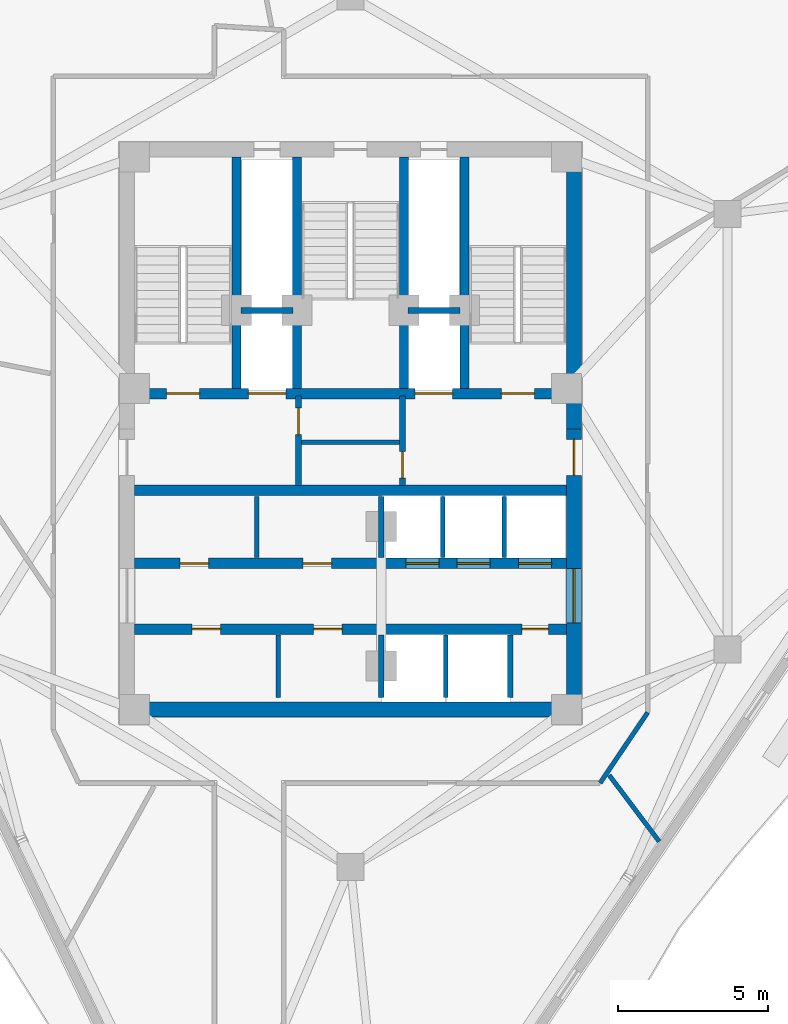
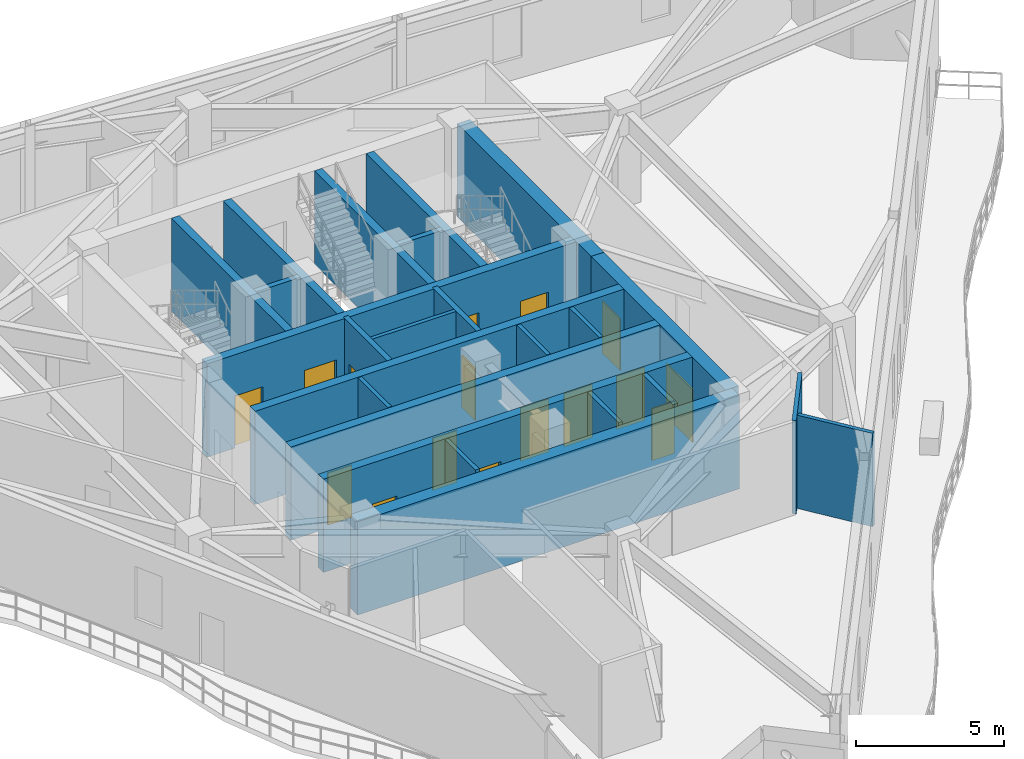
# One storey, part 6 of 11: 26 walls, 16 doors, 16 openings.
"""IFC4 building model written with IfcOpenShell, lengths in metres."""

from ifc_helpers import new_model, si_unit, direction, frame, frame_2d, origin, place, context, subcontext, project, spatial, rectangle, extrude, material, layer, layer_set, type_object, element, fill, save


model = new_model("IFC4")

# Units and contexts
model_context = context("Model", 3, precision=1e-05, world=origin(), true_north=direction((0.0, 1.0)))
body_context = subcontext(model_context, "Body", "Model", "MODEL_VIEW")
ifc_project = project(units=[si_unit("LENGTHUNIT", "METRE"), si_unit("AREAUNIT", "SQUARE_METRE"), si_unit("VOLUMEUNIT", "CUBIC_METRE"), si_unit("PLANEANGLEUNIT", "RADIAN"), si_unit("MASSUNIT", "GRAM", prefix="KILO")], contexts=[model_context])

# Site, building, storey
site_placement = place(None, origin())
site = spatial("IfcSite", under=ifc_project, at=site_placement, CompositionType="ELEMENT")
building_placement = place(site_placement, origin())
building = spatial("IfcBuilding", under=site, at=building_placement, Name="Apsidion Concourse Tower", CompositionType="ELEMENT")
storey_placement = place(building_placement, frame((0.0, 0.0, 294.199951171875)))
storey = spatial("IfcBuildingStorey", under=building, at=storey_placement, Name="L69", CompositionType="ELEMENT", Elevation=294.199951171875)

# Walls
ifc_material_1 = material(Name="Gypsum plasterboard partition")
ifc_layer_1 = layer(ifc_material_1, 0.14990234375)
ifc_layer_set_1 = layer_set([ifc_layer_1], Name="Gypsum plasterboard partition")
wall_type_1 = type_object("IfcWallType", Name="WL-INT-PAR-150", PredefinedType="PARTITIONING", material=ifc_layer_set_1)
for number, where, z_axis, x_axis, name in (
    (1, (-3.1201171875, -4.179931640625, 0.0), (0.0, 0.0, 1.0), (0.0, 1.0, 0.0), "L69 Interior Partition WL-L69-B1RV1"),
    (2, (3.074951171875, -4.179931640625, 0.0), (0.0, 0.0, 1.0), (0.0, 1.0, 0.0), "L69 Interior Partition WL-L69-B3DIV-1"),
    (3, (5.125, -4.179931640625, 0.0), (0.0, 0.0, 1.0), (0.0, 1.0, 0.0), "L69 Interior Partition WL-L69-B3DIV-2"),
):
    element("IfcWall", number, at=place(storey_placement, frame(where, z_axis=z_axis, x_axis=x_axis)), inside=storey, type_object=wall_type_1, Name=name, PredefinedType="PARTITIONING", context=body_context, shape_type="SweptSolid", body=[
        extrude(rectangle(XDim=2.030029296875, YDim=0.14990234375, at=frame_2d((1.01513671875, 0.0))), origin(), (0.0, 0.0, 1.0), 3.85009765625),
    ])
for number, where, z_axis, x_axis, name in (
    (4, (-2.39990234375, -8.85009765625, 0.0), (0.0, 0.0, 1.0), (0.0, 1.0, 0.0), "L69 Interior Partition WL-L69-B2RV1"),
    (5, (3.175048828125, -8.85009765625, 0.0), (0.0, 0.0, 1.0), (0.0, 1.0, 0.0), "L69 Interior Partition WL-L69-SHDIV-1"),
):
    element("IfcWall", number, at=place(storey_placement, frame(where, z_axis=z_axis, x_axis=x_axis)), inside=storey, type_object=wall_type_1, Name=name, PredefinedType="PARTITIONING", context=body_context, shape_type="SweptSolid", body=[
        extrude(rectangle(XDim=2.080078125, YDim=0.14990234375, at=frame_2d((1.0400390625, 0.0))), origin(), (0.0, 0.0, 1.0), 3.85009765625),
    ])
wall_1_placement = place(storey_placement, frame((-1.6298828125, -0.35009765625, 0.0), z_axis=(0.0, 0.0, 1.0), x_axis=(1.0, 0.0, 0.0)))
element("IfcWall", 6, at=wall_1_placement, inside=storey, type_object=wall_type_1, Name="L69 Interior Partition WL-L69-K2H", PredefinedType="PARTITIONING", context=body_context, shape_type="SweptSolid", body=[
    extrude(rectangle(XDim=3.259765625, YDim=0.14990234375, at=frame_2d((1.6298828125, 0.0))), origin(), (0.0, 0.0, 1.0), 3.85009765625),
])
wall_2_placement = place(storey_placement, frame((9.89990234375, -9.348388671875, 0.0), z_axis=(0.0, 0.0, 1.0), x_axis=(-0.559200828408, -0.829032227062, 0.0)))
element("IfcWall", 7, at=wall_2_placement, inside=storey, type_object=wall_type_1, Name="L69 Interior Partition WL-L69-CORR-10", PredefinedType="PARTITIONING", context=body_context, shape_type="SweptSolid", body=[
    extrude(rectangle(XDim=2.83642578125, YDim=0.14990234375, at=frame_2d((1.418212890625, 0.0))), origin(), (0.0, 0.0, 1.0), 3.85009765625),
])
wall_3_placement = place(storey_placement, frame((8.6181640625, -11.4365234375, 0.0), z_axis=(0.0, 0.0, 1.0), x_axis=(0.601749877765, -0.798684596452, 0.0)))
element("IfcWall", 8, at=wall_3_placement, inside=storey, type_object=wall_type_1, Name="L69 Interior Partition WL-L69-RAD-05-1", PredefinedType="PARTITIONING", context=body_context, shape_type="SweptSolid", body=[
    extrude(rectangle(XDim=2.765869140625, YDim=0.14990234375, at=frame_2d((1.3828125, 0.0))), origin(), (0.0, 0.0, 1.0), 3.85009765625),
])
ifc_layer_2 = layer(ifc_material_1, 0.179931640625)
ifc_layer_set_2 = layer_set([ifc_layer_2], Name="Gypsum plasterboard partition")
wall_type_2 = type_object("IfcWallType", Name="WL-INT-PAR-180", PredefinedType="PARTITIONING", material=ifc_layer_set_2)
wall_4_placement = place(storey_placement, frame((1.02490234375, -4.179931640625, 0.0), z_axis=(0.0, 0.0, 1.0), x_axis=(0.0, 1.0, 0.0)))
element("IfcWall", 9, at=wall_4_placement, inside=storey, type_object=wall_type_2, Name="L69 Interior Partition WL-L69-B1END", PredefinedType="PARTITIONING", context=body_context, shape_type="SweptSolid", body=[
    extrude(rectangle(XDim=2.030029296875, YDim=0.179931640625, at=frame_2d((1.01513671875, 0.0))), origin(), (0.0, 0.0, 1.0), 2.89794921875),
])
wall_5_placement = place(storey_placement, frame((1.02490234375, -8.85009765625, 0.0), z_axis=(0.0, 0.0, 1.0), x_axis=(0.0, 1.0, 0.0)))
element("IfcWall", 10, at=wall_5_placement, inside=storey, type_object=wall_type_2, Name="L69 Interior Partition WL-L69-B2END", PredefinedType="PARTITIONING", context=body_context, shape_type="SweptSolid", body=[
    extrude(rectangle(XDim=2.080078125, YDim=0.179931640625, at=frame_2d((1.0400390625, 0.0))), origin(), (0.0, 0.0, 1.0), 2.89794921875),
])
wall_6_placement = place(storey_placement, frame((5.324951171875, -8.85009765625, 0.0), z_axis=(0.0, 0.0, 1.0), x_axis=(0.0, 1.0, 0.0)))
element("IfcWall", 11, at=wall_6_placement, inside=storey, type_object=wall_type_2, Name="L69 Interior Partition WL-L69-SHDIV-2", PredefinedType="PARTITIONING", context=body_context, shape_type="SweptSolid", body=[
    extrude(rectangle(XDim=2.080078125, YDim=0.179931640625, at=frame_2d((1.0400390625, 0.0))), origin(), (0.0, 0.0, 1.0), 3.85009765625),
])
ifc_layer_3 = layer(ifc_material_1, 0.199951171875)
ifc_layer_set_3 = layer_set([ifc_layer_3], Name="Gypsum plasterboard partition")
wall_type_3 = type_object("IfcWallType", Name="WL-INT-PAR-200", PredefinedType="PARTITIONING", material=ifc_layer_set_3)
for number, where, z_axis, x_axis, name in (
    (12, (-3.64990234375, 4.050048828125, 0.0), (0.0, 0.0, 1.0), (1.0, 0.0, 0.0), "L69 Interior Partition WL-L69-FF1-N"),
    (13, (1.919921875, 4.050048828125, 0.0), (0.0, 0.0, 1.0), (1.0, 0.0, 0.0), "L69 Interior Partition WL-L69-FF2-N"),
):
    element("IfcWall", number, at=place(storey_placement, frame(where, z_axis=z_axis, x_axis=x_axis)), inside=storey, type_object=wall_type_3, Name=name, PredefinedType="PARTITIONING", context=body_context, shape_type="SweptSolid", body=[
        extrude(rectangle(XDim=1.72998046875, YDim=0.199951171875, at=frame_2d((0.864990234375, 0.0))), origin(), (0.0, 0.0, 1.0), 3.85009765625),
    ])

# Wall, opening, door
wall_7_placement = place(storey_placement, frame((-1.739990234375, -1.780029296875, 0.0), z_axis=(0.0, 0.0, 1.0), x_axis=(0.0, 1.0, 0.0)))
wall_7 = element("IfcWall", 14, at=wall_7_placement, inside=storey, type_object=wall_type_3, Name="L69 Interior Partition WL-L69-FF1-E", PredefinedType="PARTITIONING", context=body_context, shape_type="SweptSolid", body=[
    extrude(rectangle(XDim=2.97998046875, YDim=0.199951171875, at=frame_2d((1.489990234375, 0.0))), origin(), (0.0, 0.0, 1.0), 3.85009765625),
])
opening_1_placement = place(wall_7_placement, frame((1.68994140625, 0.0, 0.0)))
opening_1 = element("IfcOpeningElement", 15, at=opening_1_placement, cuts=wall_7, Name="Opening D-05L", PredefinedType="OPENING", context=body_context, shape_type="SweptSolid", body=[
    extrude(rectangle(XDim=0.8798828125, YDim=2.14990234375, at=frame_2d((0.43994140625, 1.074951171875))), frame((0.0, 0.10986328125, 0.0), z_axis=(0.0, -1.0, 0.0), x_axis=(1.0, 0.0, 0.0)), (0.0, 0.0, 1.0), 0.219970703125),
])
ifc_material_2 = material(Name="Brushed stainless steel 316", Category="steel")
door_type_1 = type_object("IfcDoorType", Name="DR-INT-D05L", OperationType="SINGLE_SWING_LEFT", PredefinedType="DOOR", material=ifc_material_2)
door_1_placement = place(opening_1_placement, origin())
door_1 = element("IfcDoor", 16, at=door_1_placement, inside=storey, type_object=door_type_1, Name="L69 Core Staff WC Door", OperationType="SINGLE_SWING_LEFT", OverallHeight=2.14990234375, OverallWidth=0.8798828125, PredefinedType="DOOR", context=body_context, shape_type="SweptSolid", body=[
    extrude(rectangle(XDim=0.8798828125, YDim=2.14990234375, at=frame_2d((0.43994140625, 1.074951171875))), frame((0.0, 0.02490234375, 0.0), z_axis=(0.0, -1.0, 0.0), x_axis=(1.0, 0.0, 0.0)), (0.0, 0.0, 1.0), 0.050048828125),
])
fill(opening_1, door_1)

wall_8_placement = place(storey_placement, frame((1.739990234375, -1.780029296875, 0.0), z_axis=(0.0, 0.0, 1.0), x_axis=(0.0, 1.0, 0.0)))
wall_8 = element("IfcWall", 17, at=wall_8_placement, inside=storey, type_object=wall_type_3, Name="L69 Interior Partition WL-L69-FF2-W", PredefinedType="PARTITIONING", context=body_context, shape_type="SweptSolid", body=[
    extrude(rectangle(XDim=2.97998046875, YDim=0.199951171875, at=frame_2d((1.489990234375, 0.0))), origin(), (0.0, 0.0, 1.0), 3.85009765625),
])
opening_2_placement = place(wall_8_placement, frame((0.239990234375, 0.0, 0.0)))
opening_2 = element("IfcOpeningElement", 18, at=opening_2_placement, cuts=wall_8, Name="Opening D-05R", PredefinedType="OPENING", context=body_context, shape_type="SweptSolid", body=[
    extrude(rectangle(XDim=0.8798828125, YDim=2.14990234375, at=frame_2d((0.43994140625, 1.074951171875))), frame((0.0, 0.10986328125, 0.0), z_axis=(0.0, -1.0, 0.0), x_axis=(1.0, 0.0, 0.0)), (0.0, 0.0, 1.0), 0.219970703125),
])
door_type_2 = type_object("IfcDoorType", Name="DR-INT-D05R", OperationType="SINGLE_SWING_RIGHT", PredefinedType="DOOR", material=ifc_material_2)
door_2_placement = place(opening_2_placement, origin())
door_2 = element("IfcDoor", 19, at=door_2_placement, inside=storey, type_object=door_type_2, Name="L69 Core Supply Store Door", OperationType="SINGLE_SWING_RIGHT", OverallHeight=2.14990234375, OverallWidth=0.8798828125, PredefinedType="DOOR", context=body_context, shape_type="SweptSolid", body=[
    extrude(rectangle(XDim=0.8798828125, YDim=2.14990234375, at=frame_2d((0.43994140625, 1.074951171875))), frame((0.0, 0.02490234375, 0.0), z_axis=(0.0, -1.0, 0.0), x_axis=(1.0, 0.0, 0.0)), (0.0, 0.0, 1.0), 0.050048828125),
])
fill(opening_2, door_2)

# Walls
ifc_material_3 = material(Name="Concrete C50/60", Category="concrete")
ifc_layer_4 = layer(ifc_material_3, 0.300048828125)
ifc_layer_set_4 = layer_set([ifc_layer_4], Name="Concrete C50/60")
wall_type_4 = type_object("IfcWallType", Name="WL-SH-300", PredefinedType="SHEAR", material=ifc_layer_set_4)
for number, where, z_axis, x_axis, name in (
    (20, (-3.800048828125, 1.449951171875, 0.0), (0.0, 0.0, 1.0), (0.0, 1.0, 0.0), "L69 Central Core Shear Wall V1"),
    (21, (-1.77490234375, 1.449951171875, 0.0), (0.0, 0.0, 1.0), (0.0, 1.0, 0.0), "L69 Central Core Shear Wall V2"),
    (22, (1.77490234375, 1.449951171875, 0.0), (0.0, 0.0, 1.0), (0.0, 1.0, 0.0), "L69 Central Core Shear Wall V3"),
    (23, (3.800048828125, 1.449951171875, 0.0), (0.0, 0.0, 1.0), (0.0, 1.0, 0.0), "L69 Central Core Shear Wall V4"),
):
    element("IfcWall", number, at=place(storey_placement, frame(where, z_axis=z_axis, x_axis=x_axis)), inside=storey, type_object=wall_type_4, Name=name, PredefinedType="SHEAR", context=body_context, shape_type="SweptSolid", body=[
        extrude(rectangle(XDim=7.699951171875, YDim=0.300048828125, at=frame_2d((3.85009765625, 0.0))), origin(), (0.0, 0.0, 1.0), 3.85009765625),
    ])

# Wall, openings, doors
ifc_layer_5 = layer(ifc_material_3, 0.35009765625)
ifc_layer_set_5 = layer_set([ifc_layer_5], Name="Concrete C50/60")
wall_type_5 = type_object("IfcWallType", Name="WL-SH-350", PredefinedType="SHEAR", material=ifc_layer_set_5)
wall_9_placement = place(storey_placement, frame((-7.199951171875, 1.27490234375, 0.0), z_axis=(0.0, 0.0, 1.0), x_axis=(1.0, 0.0, 0.0)))
wall_9 = element("IfcWall", 24, at=wall_9_placement, inside=storey, type_object=wall_type_5, Name="L69 Central Core Shear Wall M1", PredefinedType="SHEAR", context=body_context, shape_type="SweptSolid", body=[
    extrude(rectangle(XDim=14.39990234375, YDim=0.35009765625, at=frame_2d((7.199951171875, 0.0))), origin(), (0.0, 0.0, 1.0), 3.85009765625),
])
opening_3_placement = place(wall_9_placement, frame((3.794921875, 0.0, 0.0)))
opening_3 = element("IfcOpeningElement", 25, at=opening_3_placement, cuts=wall_9, Name="Opening LD-FF", PredefinedType="OPENING", context=body_context, shape_type="SweptSolid", body=[
    extrude(rectangle(XDim=1.25, YDim=2.25, at=frame_2d((0.625, 1.125))), frame((0.0, 0.18505859375, 0.0), z_axis=(0.0, -1.0, 0.0), x_axis=(1.0, 0.0, 0.0)), (0.0, 0.0, 1.0), 0.3701171875),
])
opening_4_placement = place(wall_9_placement, frame((9.35498046875, 0.0, 0.0)))
opening_4 = element("IfcOpeningElement", 26, at=opening_4_placement, cuts=wall_9, Name="Opening LD-FF", PredefinedType="OPENING", context=body_context, shape_type="SweptSolid", body=[
    extrude(rectangle(XDim=1.25, YDim=2.25, at=frame_2d((0.625, 1.125))), frame((0.0, 0.18505859375, 0.0), z_axis=(0.0, -1.0, 0.0), x_axis=(1.0, 0.0, 0.0)), (0.0, 0.0, 1.0), 0.3701171875),
])
opening_5_placement = place(wall_9_placement, frame((1.074951171875, 0.0, 0.0)))
opening_5 = element("IfcOpeningElement", 27, at=opening_5_placement, cuts=wall_9, Name="Opening D-STL", PredefinedType="OPENING", context=body_context, shape_type="SweptSolid", body=[
    extrude(rectangle(XDim=1.10009765625, YDim=2.14990234375, at=frame_2d((0.550048828125, 1.074951171875))), frame((0.0, 0.18505859375, 0.0), z_axis=(0.0, -1.0, 0.0), x_axis=(1.0, 0.0, 0.0)), (0.0, 0.0, 1.0), 0.3701171875),
])
opening_6_placement = place(wall_9_placement, frame((12.22509765625, 0.0, 0.0)))
opening_6 = element("IfcOpeningElement", 28, at=opening_6_placement, cuts=wall_9, Name="Opening D-STR", PredefinedType="OPENING", context=body_context, shape_type="SweptSolid", body=[
    extrude(rectangle(XDim=1.10009765625, YDim=2.14990234375, at=frame_2d((0.550048828125, 1.074951171875))), frame((0.0, 0.18505859375, 0.0), z_axis=(0.0, -1.0, 0.0), x_axis=(1.0, 0.0, 0.0)), (0.0, 0.0, 1.0), 0.3701171875),
])
door_type_3 = type_object("IfcDoorType", Name="DR-INT-ST1L", OperationType="SINGLE_SWING_LEFT", PredefinedType="DOOR", material=ifc_material_2)
door_3_placement = place(opening_5_placement, origin())
door_3 = element("IfcDoor", 29, at=door_3_placement, inside=storey, type_object=door_type_3, Name="L69 Core Exit Stair ST1 Door", OperationType="SINGLE_SWING_LEFT", OverallHeight=2.14990234375, OverallWidth=1.10009765625, PredefinedType="DOOR", context=body_context, shape_type="SweptSolid", body=[
    extrude(rectangle(XDim=1.10009765625, YDim=2.14990234375, at=frame_2d((0.550048828125, 1.074951171875))), frame((0.0, 0.02490234375, 0.0), z_axis=(0.0, -1.0, 0.0), x_axis=(1.0, 0.0, 0.0)), (0.0, 0.0, 1.0), 0.050048828125),
])
fill(opening_5, door_3)
door_type_4 = type_object("IfcDoorType", Name="DR-INT-ST1R", OperationType="SINGLE_SWING_RIGHT", PredefinedType="DOOR", material=ifc_material_2)
door_4_placement = place(opening_6_placement, origin())
door_4 = element("IfcDoor", 30, at=door_4_placement, inside=storey, type_object=door_type_4, Name="L69 Core Exit Stair ST2 Door", OperationType="SINGLE_SWING_RIGHT", OverallHeight=2.14990234375, OverallWidth=1.10009765625, PredefinedType="DOOR", context=body_context, shape_type="SweptSolid", body=[
    extrude(rectangle(XDim=1.10009765625, YDim=2.14990234375, at=frame_2d((0.550048828125, 1.074951171875))), frame((0.0, 0.02490234375, 0.0), z_axis=(0.0, -1.0, 0.0), x_axis=(1.0, 0.0, 0.0)), (0.0, 0.0, 1.0), 0.050048828125),
])
fill(opening_6, door_4)
door_type_5 = type_object("IfcDoorType", Name="DR-LD-FSAE", OperationType="DOUBLE_DOOR_SLIDING", PredefinedType="DOOR", material=ifc_material_2)
door_5_placement = place(opening_3_placement, origin())
door_5 = element("IfcDoor", 31, at=door_5_placement, inside=storey, type_object=door_type_5, Name="L69 Lift Landing Door FF1", OperationType="DOUBLE_DOOR_SLIDING", OverallHeight=2.25, OverallWidth=1.25, PredefinedType="DOOR", context=body_context, shape_type="SweptSolid", body=[
    extrude(rectangle(XDim=1.25, YDim=2.25, at=frame_2d((0.625, 1.125))), frame((0.0, 0.02490234375, 0.0), z_axis=(0.0, -1.0, 0.0), x_axis=(1.0, 0.0, 0.0)), (0.0, 0.0, 1.0), 0.050048828125),
])
fill(opening_3, door_5)
door_6_placement = place(opening_4_placement, origin())
door_6 = element("IfcDoor", 32, at=door_6_placement, inside=storey, type_object=door_type_5, Name="L69 Lift Landing Door FF2", OperationType="DOUBLE_DOOR_SLIDING", OverallHeight=2.25, OverallWidth=1.25, PredefinedType="DOOR", context=body_context, shape_type="SweptSolid", body=[
    extrude(rectangle(XDim=1.25, YDim=2.25, at=frame_2d((0.625, 1.125))), frame((0.0, 0.02490234375, 0.0), z_axis=(0.0, -1.0, 0.0), x_axis=(1.0, 0.0, 0.0)), (0.0, 0.0, 1.0), 0.050048828125),
])
fill(opening_4, door_6)

# Wall
wall_10_placement = place(storey_placement, frame((-7.199951171875, -1.949951171875, 0.0), z_axis=(0.0, 0.0, 1.0), x_axis=(1.0, 0.0, 0.0)))
element("IfcWall", 33, at=wall_10_placement, inside=storey, type_object=wall_type_5, Name="L69 Central Core Shear Wall M2", PredefinedType="SHEAR", context=body_context, shape_type="SweptSolid", body=[
    extrude(rectangle(XDim=14.39990234375, YDim=0.35009765625, at=frame_2d((7.199951171875, 0.0))), origin(), (0.0, 0.0, 1.0), 3.85009765625),
])

# Wall, openings, doors
wall_11_placement = place(storey_placement, frame((-7.199951171875, -4.3798828125, 0.0), z_axis=(0.0, 0.0, 1.0), x_axis=(1.0, 0.0, 0.0)))
wall_11 = element("IfcWall", 34, at=wall_11_placement, inside=storey, type_object=wall_type_5, Name="L69 Central Core Shear Wall LA", PredefinedType="SHEAR", context=body_context, shape_type="SweptSolid", body=[
    extrude(rectangle(XDim=14.39990234375, YDim=0.35009765625, at=frame_2d((7.199951171875, 0.0))), origin(), (0.0, 0.0, 1.0), 3.85009765625),
])
opening_7_placement = place(wall_11_placement, frame((9.050048828125, 0.0, 0.0)))
opening_7 = element("IfcOpeningElement", 35, at=opening_7_placement, cuts=wall_11, Name="Opening LD-P1", PredefinedType="OPENING", context=body_context, shape_type="SweptSolid", body=[
    extrude(rectangle(XDim=1.10009765625, YDim=2.199951171875, at=frame_2d((0.550048828125, 1.10009765625))), frame((0.0, 0.18505859375, 0.0), z_axis=(0.0, -1.0, 0.0), x_axis=(1.0, 0.0, 0.0)), (0.0, 0.0, 1.0), 0.3701171875),
])
opening_8_placement = place(wall_11_placement, frame((10.75, 0.0, 0.0)))
opening_8 = element("IfcOpeningElement", 36, at=opening_8_placement, cuts=wall_11, Name="Opening LD-P1", PredefinedType="OPENING", context=body_context, shape_type="SweptSolid", body=[
    extrude(rectangle(XDim=1.10009765625, YDim=2.199951171875, at=frame_2d((0.550048828125, 1.10009765625))), frame((0.0, 0.18505859375, 0.0), z_axis=(0.0, -1.0, 0.0), x_axis=(1.0, 0.0, 0.0)), (0.0, 0.0, 1.0), 0.3701171875),
])
opening_9_placement = place(wall_11_placement, frame((12.800048828125, 0.0, 0.0)))
opening_9 = element("IfcOpeningElement", 37, at=opening_9_placement, cuts=wall_11, Name="Opening LD-P1", PredefinedType="OPENING", context=body_context, shape_type="SweptSolid", body=[
    extrude(rectangle(XDim=1.10009765625, YDim=2.199951171875, at=frame_2d((0.550048828125, 1.10009765625))), frame((0.0, 0.18505859375, 0.0), z_axis=(0.0, -1.0, 0.0), x_axis=(1.0, 0.0, 0.0)), (0.0, 0.0, 1.0), 0.3701171875),
])
opening_10_placement = place(wall_11_placement, frame((1.52490234375, 0.0, 0.0)))
opening_10 = element("IfcOpeningElement", 38, at=opening_10_placement, cuts=wall_11, Name="Opening D-04L", PredefinedType="OPENING", context=body_context, shape_type="SweptSolid", body=[
    extrude(rectangle(XDim=0.949951171875, YDim=2.14990234375, at=frame_2d((0.47509765625, 1.074951171875))), frame((0.0, 0.18505859375, 0.0), z_axis=(0.0, -1.0, 0.0), x_axis=(1.0, 0.0, 0.0)), (0.0, 0.0, 1.0), 0.3701171875),
])
opening_11_placement = place(wall_11_placement, frame((5.625, 0.0, 0.0)))
opening_11 = element("IfcOpeningElement", 39, at=opening_11_placement, cuts=wall_11, Name="Opening D-04R", PredefinedType="OPENING", context=body_context, shape_type="SweptSolid", body=[
    extrude(rectangle(XDim=0.949951171875, YDim=2.14990234375, at=frame_2d((0.47509765625, 1.074951171875))), frame((0.0, 0.18505859375, 0.0), z_axis=(0.0, -1.0, 0.0), x_axis=(1.0, 0.0, 0.0)), (0.0, 0.0, 1.0), 0.3701171875),
])
door_type_6 = type_object("IfcDoorType", Name="DR-INT-D04L", OperationType="SINGLE_SWING_LEFT", PredefinedType="DOOR", material=ifc_material_2)
door_7_placement = place(opening_10_placement, origin())
door_7 = element("IfcDoor", 40, at=door_7_placement, inside=storey, type_object=door_type_6, Name="L69 Tenant Archive Room West Door", OperationType="SINGLE_SWING_LEFT", OverallHeight=2.14990234375, OverallWidth=0.949951171875, PredefinedType="DOOR", context=body_context, shape_type="SweptSolid", body=[
    extrude(rectangle(XDim=0.949951171875, YDim=2.14990234375, at=frame_2d((0.47509765625, 1.074951171875))), frame((0.0, 0.02490234375, 0.0), z_axis=(0.0, -1.0, 0.0), x_axis=(1.0, 0.0, 0.0)), (0.0, 0.0, 1.0), 0.050048828125),
])
fill(opening_10, door_7)
door_type_7 = type_object("IfcDoorType", Name="DR-INT-D04R", OperationType="SINGLE_SWING_RIGHT", PredefinedType="DOOR", material=ifc_material_2)
door_8_placement = place(opening_11_placement, origin())
door_8 = element("IfcDoor", 41, at=door_8_placement, inside=storey, type_object=door_type_7, Name="L69 Core Print and Copy Room Door", OperationType="SINGLE_SWING_RIGHT", OverallHeight=2.14990234375, OverallWidth=0.949951171875, PredefinedType="DOOR", context=body_context, shape_type="SweptSolid", body=[
    extrude(rectangle(XDim=0.949951171875, YDim=2.14990234375, at=frame_2d((0.47509765625, 1.074951171875))), frame((0.0, 0.02490234375, 0.0), z_axis=(0.0, -1.0, 0.0), x_axis=(1.0, 0.0, 0.0)), (0.0, 0.0, 1.0), 0.050048828125),
])
fill(opening_11, door_8)
door_type_8 = type_object("IfcDoorType", Name="DR-LD-PASS", OperationType="DOUBLE_DOOR_SLIDING", PredefinedType="DOOR", material=ifc_material_2)
door_9_placement = place(opening_7_placement, origin())
door_9 = element("IfcDoor", 42, at=door_9_placement, inside=storey, type_object=door_type_8, Name="L69 Lift Landing Door P9", OperationType="DOUBLE_DOOR_SLIDING", OverallHeight=2.199951171875, OverallWidth=1.10009765625, PredefinedType="DOOR", context=body_context, shape_type="SweptSolid", body=[
    extrude(rectangle(XDim=1.10009765625, YDim=2.199951171875, at=frame_2d((0.550048828125, 1.10009765625))), frame((0.0, 0.02490234375, 0.0), z_axis=(0.0, -1.0, 0.0), x_axis=(1.0, 0.0, 0.0)), (0.0, 0.0, 1.0), 0.050048828125),
])
fill(opening_7, door_9)
door_10_placement = place(opening_8_placement, origin())
door_10 = element("IfcDoor", 43, at=door_10_placement, inside=storey, type_object=door_type_8, Name="L69 Lift Landing Door P10", OperationType="DOUBLE_DOOR_SLIDING", OverallHeight=2.199951171875, OverallWidth=1.10009765625, PredefinedType="DOOR", context=body_context, shape_type="SweptSolid", body=[
    extrude(rectangle(XDim=1.10009765625, YDim=2.199951171875, at=frame_2d((0.550048828125, 1.10009765625))), frame((0.0, 0.02490234375, 0.0), z_axis=(0.0, -1.0, 0.0), x_axis=(1.0, 0.0, 0.0)), (0.0, 0.0, 1.0), 0.050048828125),
])
fill(opening_8, door_10)
door_11_placement = place(opening_9_placement, origin())
door_11 = element("IfcDoor", 44, at=door_11_placement, inside=storey, type_object=door_type_8, Name="L69 Lift Landing Door P11", OperationType="DOUBLE_DOOR_SLIDING", OverallHeight=2.199951171875, OverallWidth=1.10009765625, PredefinedType="DOOR", context=body_context, shape_type="SweptSolid", body=[
    extrude(rectangle(XDim=1.10009765625, YDim=2.199951171875, at=frame_2d((0.550048828125, 1.10009765625))), frame((0.0, 0.02490234375, 0.0), z_axis=(0.0, -1.0, 0.0), x_axis=(1.0, 0.0, 0.0)), (0.0, 0.0, 1.0), 0.050048828125),
])
fill(opening_9, door_11)

wall_12_placement = place(storey_placement, frame((-7.199951171875, -6.570068359375, 0.0), z_axis=(0.0, 0.0, 1.0), x_axis=(1.0, 0.0, 0.0)))
wall_12 = element("IfcWall", 45, at=wall_12_placement, inside=storey, type_object=wall_type_5, Name="L69 Central Core Shear Wall LB", PredefinedType="SHEAR", context=body_context, shape_type="SweptSolid", body=[
    extrude(rectangle(XDim=14.39990234375, YDim=0.35009765625, at=frame_2d((7.199951171875, 0.0))), origin(), (0.0, 0.0, 1.0), 3.85009765625),
])
opening_12_placement = place(wall_12_placement, frame((1.925048828125, 0.0, 0.0)))
opening_12 = element("IfcOpeningElement", 46, at=opening_12_placement, cuts=wall_12, Name="Opening D-04R", PredefinedType="OPENING", context=body_context, shape_type="SweptSolid", body=[
    extrude(rectangle(XDim=0.949951171875, YDim=2.14990234375, at=frame_2d((0.47509765625, 1.074951171875))), frame((0.0, 0.18505859375, 0.0), z_axis=(0.0, -1.0, 0.0), x_axis=(1.0, 0.0, 0.0)), (0.0, 0.0, 1.0), 0.3701171875),
])
opening_13_placement = place(wall_12_placement, frame((5.97509765625, 0.0, 0.0)))
opening_13 = element("IfcOpeningElement", 47, at=opening_13_placement, cuts=wall_12, Name="Opening D-04L", PredefinedType="OPENING", context=body_context, shape_type="SweptSolid", body=[
    extrude(rectangle(XDim=0.949951171875, YDim=2.14990234375, at=frame_2d((0.47509765625, 1.074951171875))), frame((0.0, 0.18505859375, 0.0), z_axis=(0.0, -1.0, 0.0), x_axis=(1.0, 0.0, 0.0)), (0.0, 0.0, 1.0), 0.3701171875),
])
opening_14_placement = place(wall_12_placement, frame((12.909912109375, 0.0, 0.0)))
opening_14 = element("IfcOpeningElement", 48, at=opening_14_placement, cuts=wall_12, Name="Opening D-05L", PredefinedType="OPENING", context=body_context, shape_type="SweptSolid", body=[
    extrude(rectangle(XDim=0.8798828125, YDim=2.14990234375, at=frame_2d((0.43994140625, 1.074951171875))), frame((0.0, 0.18505859375, 0.0), z_axis=(0.0, -1.0, 0.0), x_axis=(1.0, 0.0, 0.0)), (0.0, 0.0, 1.0), 0.3701171875),
])
door_12_placement = place(opening_13_placement, origin())
door_12 = element("IfcDoor", 49, at=door_12_placement, inside=storey, type_object=door_type_6, Name="L69 Executive IT Server Room Door", OperationType="SINGLE_SWING_LEFT", OverallHeight=2.14990234375, OverallWidth=0.949951171875, PredefinedType="DOOR", context=body_context, shape_type="SweptSolid", body=[
    extrude(rectangle(XDim=0.949951171875, YDim=2.14990234375, at=frame_2d((0.47509765625, 1.074951171875))), frame((0.0, 0.02490234375, 0.0), z_axis=(0.0, -1.0, 0.0), x_axis=(1.0, 0.0, 0.0)), (0.0, 0.0, 1.0), 0.050048828125),
])
fill(opening_13, door_12)
door_13_placement = place(opening_12_placement, origin())
door_13 = element("IfcDoor", 50, at=door_13_placement, inside=storey, type_object=door_type_7, Name="L69 Executive Catering Pantry Door", OperationType="SINGLE_SWING_RIGHT", OverallHeight=2.14990234375, OverallWidth=0.949951171875, PredefinedType="DOOR", context=body_context, shape_type="SweptSolid", body=[
    extrude(rectangle(XDim=0.949951171875, YDim=2.14990234375, at=frame_2d((0.47509765625, 1.074951171875))), frame((0.0, 0.02490234375, 0.0), z_axis=(0.0, -1.0, 0.0), x_axis=(1.0, 0.0, 0.0)), (0.0, 0.0, 1.0), 0.050048828125),
])
fill(opening_12, door_13)
door_14_placement = place(opening_14_placement, origin())
door_14 = element("IfcDoor", 51, at=door_14_placement, inside=storey, type_object=door_type_1, Name="L69 Cleaners Store Door", OperationType="SINGLE_SWING_LEFT", OverallHeight=2.14990234375, OverallWidth=0.8798828125, PredefinedType="DOOR", context=body_context, shape_type="SweptSolid", body=[
    extrude(rectangle(XDim=0.8798828125, YDim=2.14990234375, at=frame_2d((0.43994140625, 1.074951171875))), frame((0.0, 0.02490234375, 0.0), z_axis=(0.0, -1.0, 0.0), x_axis=(1.0, 0.0, 0.0)), (0.0, 0.0, 1.0), 0.050048828125),
])
fill(opening_14, door_14)

# Wall
ifc_layer_6 = layer(ifc_material_3, 0.5)
ifc_layer_set_6 = layer_set([ifc_layer_6], Name="Concrete C50/60")
wall_type_6 = type_object("IfcWallType", Name="WL-SH-500", PredefinedType="SHEAR", material=ifc_layer_set_6)
wall_13_placement = place(storey_placement, frame((7.449951171875, 0.10009765625, 0.0), z_axis=(0.0, 0.0, 1.0), x_axis=(0.0, 1.0, 0.0)))
element("IfcWall", 52, at=wall_13_placement, inside=storey, type_object=wall_type_6, Name="L69 Central Core Shear Wall EN", PredefinedType="SHEAR", context=body_context, shape_type="SweptSolid", body=[
    extrude(rectangle(XDim=9.0498046875, YDim=0.5, at=frame_2d((4.52490234375, 0.0))), origin(), (0.0, 0.0, 1.0), 3.85009765625),
])

# Wall, openings, doors
wall_14_placement = place(storey_placement, frame((7.449951171875, -9.0, 0.0), z_axis=(0.0, 0.0, 1.0), x_axis=(0.0, 1.0, 0.0)))
wall_14 = element("IfcWall", 53, at=wall_14_placement, inside=storey, type_object=wall_type_6, Name="L69 Central Core Shear Wall ES", PredefinedType="SHEAR", context=body_context, shape_type="SweptSolid", body=[
    extrude(rectangle(XDim=9.10009765625, YDim=0.5, at=frame_2d((4.550048828125, 0.0))), origin(), (0.0, 0.0, 1.0), 3.85009765625),
])
opening_15_placement = place(wall_14_placement, frame((2.639892578125, 0.0, 0.0)))
opening_15 = element("IfcOpeningElement", 54, at=opening_15_placement, cuts=wall_14, Name="Opening D-06D", PredefinedType="OPENING", context=body_context, shape_type="SweptSolid", body=[
    extrude(rectangle(XDim=1.800048828125, YDim=2.199951171875, at=frame_2d((0.89990234375, 1.10009765625))), frame((0.0, 0.260009765625, 0.0), z_axis=(0.0, -1.0, 0.0), x_axis=(1.0, 0.0, 0.0)), (0.0, 0.0, 1.0), 0.52001953125),
])
opening_16_placement = place(wall_14_placement, frame((7.550048828125, 0.0, 0.0)))
opening_16 = element("IfcOpeningElement", 55, at=opening_16_placement, cuts=wall_14, Name="Opening D-FFR", PredefinedType="OPENING", context=body_context, shape_type="SweptSolid", body=[
    extrude(rectangle(XDim=1.199951171875, YDim=2.14990234375, at=frame_2d((0.60009765625, 1.074951171875))), frame((0.0, 0.260009765625, 0.0), z_axis=(0.0, -1.0, 0.0), x_axis=(1.0, 0.0, 0.0)), (0.0, 0.0, 1.0), 0.52001953125),
])
door_type_9 = type_object("IfcDoorType", Name="DR-INT-D06D", OperationType="DOUBLE_DOOR_SINGLE_SWING", PredefinedType="DOOR", material=ifc_material_2)
door_15_placement = place(opening_15_placement, origin())
door_15 = element("IfcDoor", 56, at=door_15_placement, inside=storey, type_object=door_type_9, Name="L69 Passenger Lift Lobby ES Portal Door", OperationType="DOUBLE_DOOR_SINGLE_SWING", OverallHeight=2.199951171875, OverallWidth=1.800048828125, PredefinedType="DOOR", context=body_context, shape_type="SweptSolid", body=[
    extrude(rectangle(XDim=1.800048828125, YDim=2.199951171875, at=frame_2d((0.89990234375, 1.10009765625))), frame((0.0, 0.02490234375, 0.0), z_axis=(0.0, -1.0, 0.0), x_axis=(1.0, 0.0, 0.0)), (0.0, 0.0, 1.0), 0.050048828125),
])
fill(opening_15, door_15)
door_type_10 = type_object("IfcDoorType", Name="DR-INT-FFR", OperationType="SINGLE_SWING_RIGHT", PredefinedType="DOOR", material=ifc_material_2)
door_16_placement = place(opening_16_placement, origin())
door_16 = element("IfcDoor", 57, at=door_16_placement, inside=storey, type_object=door_type_10, Name="L69 Firefighting Lift Lobby FF2 Door", OperationType="SINGLE_SWING_RIGHT", OverallHeight=2.14990234375, OverallWidth=1.199951171875, PredefinedType="DOOR", context=body_context, shape_type="SweptSolid", body=[
    extrude(rectangle(XDim=1.199951171875, YDim=2.14990234375, at=frame_2d((0.60009765625, 1.074951171875))), frame((0.0, 0.02490234375, 0.0), z_axis=(0.0, -1.0, 0.0), x_axis=(1.0, 0.0, 0.0)), (0.0, 0.0, 1.0), 0.050048828125),
])
fill(opening_16, door_16)

# Wall
wall_15_placement = place(storey_placement, frame((-7.449951171875, -9.25, 0.0), z_axis=(0.0, 0.0, 1.0), x_axis=(1.0, 0.0, 0.0)))
element("IfcWall", 58, at=wall_15_placement, inside=storey, type_object=wall_type_6, Name="L69 Central Core Shear Wall S", PredefinedType="SHEAR", context=body_context, shape_type="SweptSolid", body=[
    extrude(rectangle(XDim=14.89990234375, YDim=0.5, at=frame_2d((7.449951171875, 0.0))), origin(), (0.0, 0.0, 1.0), 3.85009765625),
])

save(model, "model.ifc")
